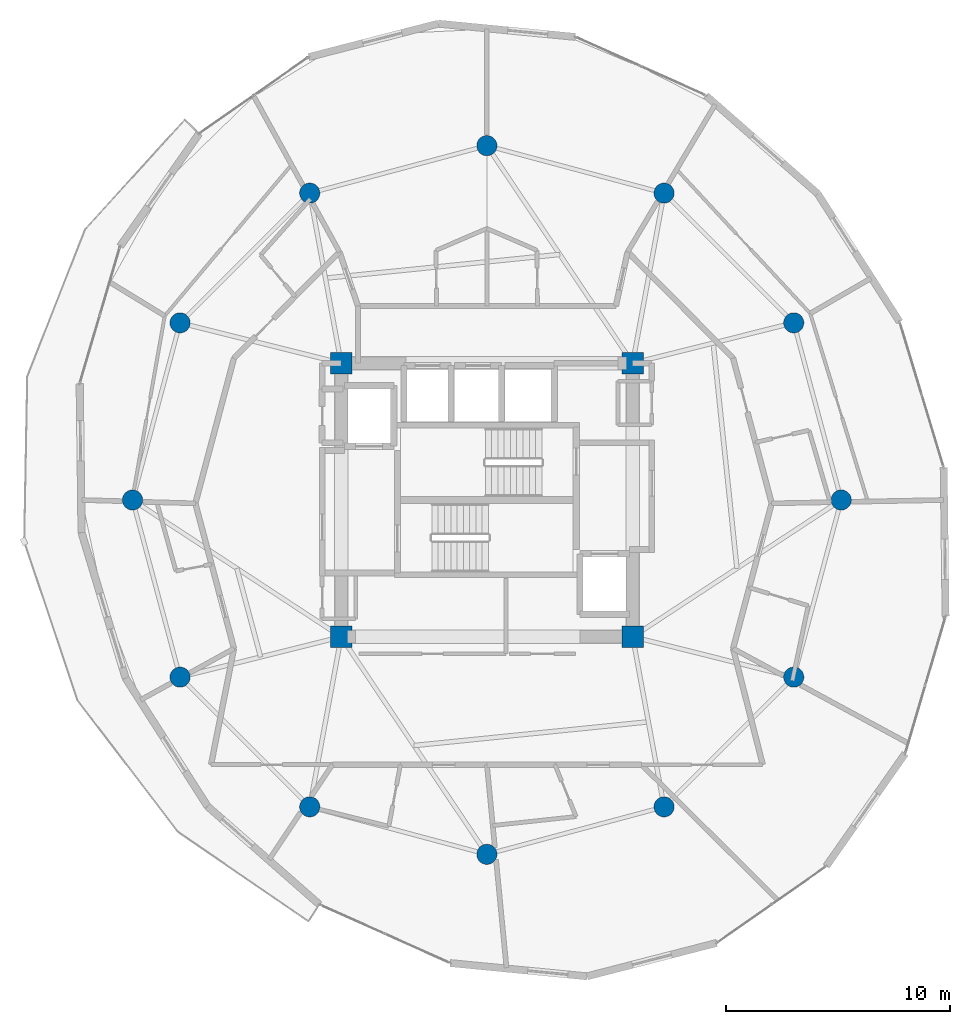
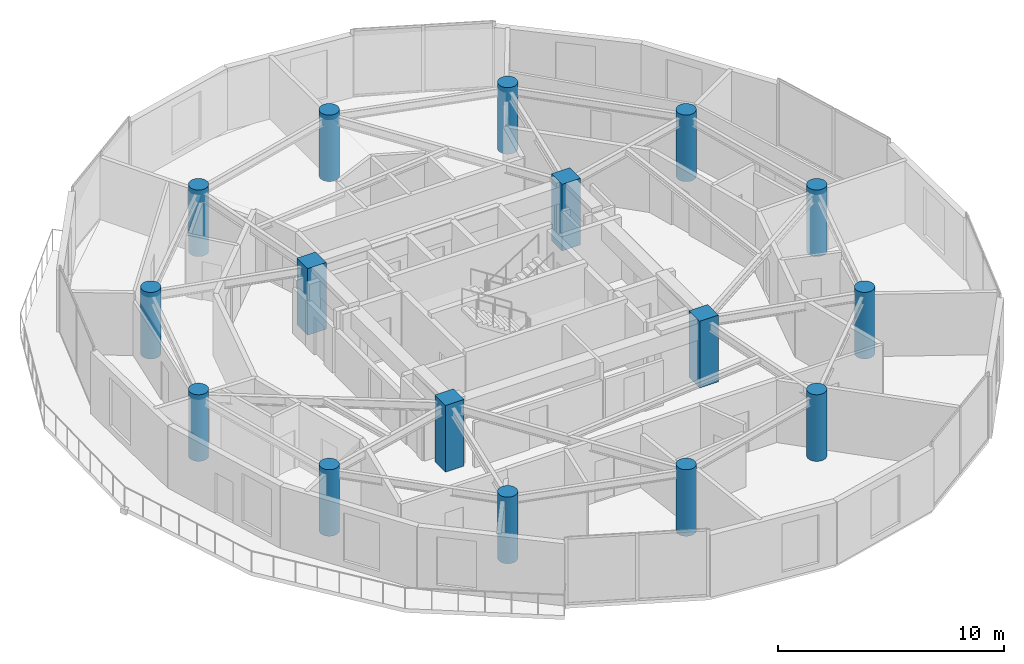
# One storey, part 1 of 21: 16 columns.
"""IFC4 building model written with IfcOpenShell, lengths in metres."""

import ifcopenshell
import ifcopenshell.guid

model = None  # the IFC model being written
_history = None  # IfcOwnerHistory: only IFC2X3 demands one
_inside = {}  # id of a spatial element -> (the spatial element, [elements in it])
_under = {}  # id of a project, library or spatial element -> (it, [spatial elements below it])
_declared = {}  # id of a project -> (the project, [libraries it declares])
_typed = {}  # id of a type object -> (the type object, [elements of that type])
_made_of = {}  # id of a material, layer set ... -> (it, [elements and type objects made of it])


def new_model(schema):
    """Start an empty IFC model of exactly this schema.

    Asked for "IFC4X3", IfcOpenShell would pick the latest addendum, in which some entities
    have other attributes; the version numbers below select the first issue.
    IFC2X3 requires an IfcOwnerHistory on every rooted entity: one is made here for all.
    """
    global model, _history
    if schema == "IFC4X3":
        model = ifcopenshell.file(schema_version=(4, 3, 0, 0))
    else:
        model = ifcopenshell.file(schema=schema)
    _inside.clear()
    _under.clear()
    _declared.clear()
    _typed.clear()
    _made_of.clear()
    _history = None
    if model.schema == "IFC2X3":
        org = make("IfcOrganization", Name="unknown")
        user = make(
            "IfcPersonAndOrganization",
            ThePerson=make("IfcPerson", FamilyName="unknown"),
            TheOrganization=org,
        )
        app = make(
            "IfcApplication",
            ApplicationDeveloper=org,
            Version="unknown",
            ApplicationFullName="unknown",
            ApplicationIdentifier="unknown",
        )
        _history = make(
            "IfcOwnerHistory",
            OwningUser=user,
            OwningApplication=app,
            ChangeAction="ADDED",
            CreationDate=0,
        )
    return model


def make(cls, **values):
    """One entity of the class cls with the attributes given. An attribute that is None is left unset."""
    return model.create_entity(
        cls, **{name: value for name, value in values.items() if value is not None}
    )


def rooted(cls, **values):
    """An entity with a GlobalId (a new one), such as an element, a storey or a relation."""
    return make(cls, GlobalId=ifcopenshell.guid.new(), OwnerHistory=_history, **values)


def si_unit(unit_type, name, prefix=None):
    """IfcSIUnit, for example si_unit("LENGTHUNIT", "METRE", prefix="MILLI")."""
    return make("IfcSIUnit", UnitType=unit_type, Prefix=prefix, Name=name)


def assignment(units):
    """IfcUnitAssignment: the units of a project."""
    return None if units is None else make("IfcUnitAssignment", Units=units)


def point(xyz):
    """IfcCartesianPoint."""
    return None if xyz is None else make("IfcCartesianPoint", Coordinates=xyz)


def direction(xyz):
    """IfcDirection."""
    return None if xyz is None else make("IfcDirection", DirectionRatios=xyz)


def frame(location, z_axis=None, x_axis=None):
    """IfcAxis2Placement3D, a coordinate frame: its origin and axes. An axis left out is left unset."""
    return make(
        "IfcAxis2Placement3D",
        Location=point(location),
        Axis=direction(z_axis),
        RefDirection=direction(x_axis),
    )


def frame_2d(location, x_axis=None):
    """IfcAxis2Placement2D, a coordinate frame in the plane: its origin and x axis."""
    return make(
        "IfcAxis2Placement2D", Location=point(location), RefDirection=direction(x_axis)
    )


def origin():
    """The frame at (0, 0, 0) with its axes left unset."""
    return frame((0.0, 0.0, 0.0))


def origin_2d():
    """The frame at (0, 0) in the plane with its x axis left unset."""
    return frame_2d((0.0, 0.0))


def place(relative_to, where):
    """IfcLocalPlacement: puts the frame where relative to a parent placement (None: the world)."""
    return make(
        "IfcLocalPlacement", PlacementRelTo=relative_to, RelativePlacement=where
    )


def context(
    kind, dimensions, precision=None, world=None, true_north=None, identifier=None
):
    """IfcGeometricRepresentationContext, for example the 3D "Model" context."""
    return make(
        "IfcGeometricRepresentationContext",
        ContextIdentifier=identifier,
        ContextType=kind,
        CoordinateSpaceDimension=dimensions,
        Precision=precision,
        WorldCoordinateSystem=world,
        TrueNorth=true_north,
    )


def subcontext(parent, identifier, kind, view, scale=None):
    """IfcGeometricRepresentationSubContext, for example "Body" below "Model"."""
    return make(
        "IfcGeometricRepresentationSubContext",
        ContextIdentifier=identifier,
        ContextType=kind,
        ParentContext=parent,
        TargetScale=scale,
        TargetView=view,
    )


def project(units=None, contexts=None):
    """IfcProject with its units and contexts."""
    return rooted(
        "IfcProject",
        Name="project",
        RepresentationContexts=contexts,
        UnitsInContext=assignment(units),
    )


def spatial(cls, under=None, at=None, **own):
    """A site, building, storey or space (cls), placed at a placement, below another one or the project."""
    s = rooted(cls, ObjectPlacement=at, **own)
    if under is not None:
        _under.setdefault(under.id(), (under, []))[1].append(s)
    return s


def profile(cls, at=None, kind="AREA", **sizes):
    """A parametric profile (cls). Its sizes go by their IFC names, for example OverallWidth=200.0."""
    return make(cls, ProfileType=kind, Position=at, **sizes)


def rectangle(**sizes):
    """IfcRectangleProfileDef."""
    return profile("IfcRectangleProfileDef", **sizes)


def circle(**sizes):
    """IfcCircleProfileDef."""
    return profile("IfcCircleProfileDef", **sizes)


def extrude(swept, where, along, depth):
    """IfcExtrudedAreaSolid: the profile swept, set in the frame where, extruded along a direction by depth."""
    return make(
        "IfcExtrudedAreaSolid",
        SweptArea=swept,
        Position=where,
        ExtrudedDirection=direction(along),
        Depth=depth,
    )


def shape(context_of_items, identifier, shape_type, items):
    """IfcShapeRepresentation: the items that make up one representation, for example the "Body"."""
    return make(
        "IfcShapeRepresentation",
        ContextOfItems=context_of_items,
        RepresentationIdentifier=identifier,
        RepresentationType=shape_type,
        Items=items,
    )


def material(Name=None, Category=None):
    """IfcMaterial."""
    return make("IfcMaterial", Name=Name, Category=Category)


def material_profile(
    of_material, cross_section, Name=None, Category=None, Priority=None
):
    """IfcMaterialProfile: a cross section and its material."""
    return make(
        "IfcMaterialProfile",
        Name=Name,
        Material=of_material,
        Profile=cross_section,
        Priority=Priority,
        Category=Category,
    )


def profile_set(profiles, Name=None, composite=None):
    """IfcMaterialProfileSet."""
    return make(
        "IfcMaterialProfileSet",
        Name=Name,
        MaterialProfiles=profiles,
        CompositeProfile=composite,
    )


def made_of(thing, what):
    """Note that an element or type object is made of a material, layer set ...; save() writes the relation."""
    if what is not None:
        _made_of.setdefault(what.id(), (what, []))[1].append(thing)
    return thing


def type_object(cls, material=None, **own):
    """A type object (cls), such as IfcWallType, which elements share."""
    return made_of(rooted(cls, **own), material)


def element(
    cls,
    number,
    at=None,
    inside=None,
    cuts=None,
    type_object=None,
    material=None,
    context=None,
    identifier="Body",
    shape_type=None,
    held_by="IfcProductDefinitionShape",
    body=None,
    shapes=None,
    **own,
):
    """One element of the class cls, such as IfcWall. Its Tag is "e" and its number.

    at: its placement. inside: the storey or other place that contains it. cuts: it is an
    opening in that element (IfcRelVoidsElement). A single representation is given by context,
    identifier, shape_type and body (its items); several are given by shapes. held_by: the class
    of the entity that holds the representations. save() writes the other relations.
    """
    e = rooted(cls, Tag="e%d" % number, ObjectPlacement=at, **own)
    if body is not None:
        shapes = [shape(context, identifier, shape_type, body)]
    if shapes is not None:
        e.Representation = make(held_by, Representations=shapes)
    if inside is not None:
        _inside.setdefault(inside.id(), (inside, []))[1].append(e)
    if cuts is not None:
        rooted(
            "IfcRelVoidsElement", RelatingBuildingElement=cuts, RelatedOpeningElement=e
        )
    if type_object is not None:
        _typed.setdefault(type_object.id(), (type_object, []))[1].append(e)
    return made_of(e, material)


def aggregate(whole, parts):
    """IfcRelAggregates: a whole, such as a stair, and the parts it consists of."""
    return rooted("IfcRelAggregates", RelatingObject=whole, RelatedObjects=parts)


def save(model, path):
    """Write the relations noted so far, then the file.

    IfcRelAggregates (storeys below a building ...), IfcRelContainedInSpatialStructure (elements
    in a storey), IfcRelDefinesByType, IfcRelAssociatesMaterial and IfcRelDeclares: one each for
    every whole, place, type object, material and project.
    """
    for whole, parts in _under.values():
        aggregate(whole, parts)
    for where, things in _inside.values():
        rooted(
            "IfcRelContainedInSpatialStructure",
            RelatedElements=things,
            RelatingStructure=where,
        )
    for kind, things in _typed.values():
        rooted("IfcRelDefinesByType", RelatedObjects=things, RelatingType=kind)
    for what, things in _made_of.values():
        rooted("IfcRelAssociatesMaterial", RelatedObjects=things, RelatingMaterial=what)
    for by, libraries in _declared.values():
        rooted("IfcRelDeclares", RelatingContext=by, RelatedDefinitions=libraries)
    model.write(path)


model = new_model("IFC4")

# Units and contexts
model_context = context("Model", 3, precision=1e-05, world=origin(), true_north=direction((0.0, 1.0)))
body_context = subcontext(model_context, "Body", "Model", "MODEL_VIEW")
ifc_project = project(units=[si_unit("LENGTHUNIT", "METRE"), si_unit("AREAUNIT", "SQUARE_METRE"), si_unit("VOLUMEUNIT", "CUBIC_METRE"), si_unit("PLANEANGLEUNIT", "RADIAN"), si_unit("MASSUNIT", "GRAM", prefix="KILO")], contexts=[model_context])

# Site, building, storey
site_placement = place(None, origin())
site = spatial("IfcSite", under=ifc_project, at=site_placement, CompositionType="ELEMENT")
building_placement = place(site_placement, origin())
building = spatial("IfcBuilding", under=site, at=building_placement, Name="Solvirekh Grand Hotel", CompositionType="ELEMENT")
storey_placement = place(building_placement, frame((0.0, 0.0, 205.60009765625)))
storey = spatial("IfcBuildingStorey", under=building, at=storey_placement, Name="L53", CompositionType="ELEMENT", Elevation=205.60009765625)

# Columns
ifc_material = material(Name="Concrete C50/60", Category="concrete")
ifc_material_profile_1 = material_profile(ifc_material, rectangle(XDim=0.949951171875, YDim=0.949951171875, at=origin_2d()), Name="RC 950X950")
ifc_profile_set_1 = profile_set([ifc_material_profile_1], Name="Concrete C50/60")
column_type_1 = type_object("IfcColumnType", Name="Col_Core_950", PredefinedType="COLUMN", material=ifc_profile_set_1)
for number, where, z_axis, x_axis, name in (
    (1, (-6.5, -6.10009765625, 0.0), (0.0, 0.0, 1.0), (1.0, 0.0, 0.0), "L53 core corner column CC1"),
    (2, (6.5, -6.10009765625, 0.0), (0.0, 0.0, 1.0), (1.0, 0.0, 0.0), "L53 core corner column CC2"),
    (3, (6.5, 6.10009765625, 0.0), (0.0, 0.0, 1.0), (1.0, 0.0, 0.0), "L53 core corner column CC3"),
    (4, (-6.5, 6.10009765625, 0.0), (0.0, 0.0, 1.0), (1.0, 0.0, 0.0), "L53 core corner column CC4"),
):
    element("IfcColumn", number, at=place(storey_placement, frame(where, z_axis=z_axis, x_axis=x_axis)), inside=storey, type_object=column_type_1, Name=name, PredefinedType="COLUMN", context=body_context, shape_type="SweptSolid", body=[
        extrude(rectangle(XDim=0.949951171875, YDim=0.949951171875, at=origin_2d()), origin(), (0.0, 0.0, 1.0), 3.599853515625),
    ])
ifc_material_profile_2 = material_profile(ifc_material, circle(Radius=0.449951171875, at=origin_2d()), Name="RC CIRC D900")
ifc_profile_set_2 = profile_set([ifc_material_profile_2], Name="Concrete C50/60")
column_type_2 = type_object("IfcColumnType", Name="Col_Z3_D900", PredefinedType="COLUMN", material=ifc_profile_set_2)
for number, where, z_axis, x_axis, name in (
    (5, (15.800048828125, 0.0, 0.0), (0.0, 0.0, 1.0), (1.0, 0.0, 0.0), "L53 perimeter column P01"),
    (6, (13.68310546875, 7.89990234375, 0.0), (0.0, 0.0, 1.0), (1.0, 0.0, 0.0), "L53 perimeter column P02"),
    (7, (7.89990234375, 13.68310546875, 0.0), (0.0, 0.0, 1.0), (1.0, 0.0, 0.0), "L53 perimeter column P03"),
    (8, (0.0, 15.800048828125, 0.0), (0.0, 0.0, 1.0), (1.0, 0.0, 0.0), "L53 perimeter column P04"),
    (9, (-7.89990234375, 13.68310546875, 0.0), (0.0, 0.0, 1.0), (1.0, 0.0, 0.0), "L53 perimeter column P05"),
    (10, (-13.68310546875, 7.89990234375, 0.0), (0.0, 0.0, 1.0), (1.0, 0.0, 0.0), "L53 perimeter column P06"),
    (11, (-15.800048828125, 0.0, 0.0), (0.0, 0.0, 1.0), (1.0, 0.0, 0.0), "L53 perimeter column P07"),
    (12, (-13.68310546875, -7.89990234375, 0.0), (0.0, 0.0, 1.0), (1.0, 0.0, 0.0), "L53 perimeter column P08"),
    (13, (-7.89990234375, -13.68310546875, 0.0), (0.0, 0.0, 1.0), (1.0, 0.0, 0.0), "L53 perimeter column P09"),
    (14, (0.0, -15.800048828125, 0.0), (0.0, 0.0, 1.0), (1.0, 0.0, 0.0), "L53 perimeter column P10"),
    (15, (7.89990234375, -13.68310546875, 0.0), (0.0, 0.0, 1.0), (1.0, 0.0, 0.0), "L53 perimeter column P11"),
    (16, (13.68310546875, -7.89990234375, 0.0), (0.0, 0.0, 1.0), (1.0, 0.0, 0.0), "L53 perimeter column P12"),
):
    element("IfcColumn", number, at=place(storey_placement, frame(where, z_axis=z_axis, x_axis=x_axis)), inside=storey, type_object=column_type_2, Name=name, PredefinedType="COLUMN", context=body_context, shape_type="SweptSolid", body=[
        extrude(circle(Radius=0.449951171875, at=origin_2d()), origin(), (0.0, 0.0, 1.0), 3.599853515625),
    ])

save(model, "model.ifc")
